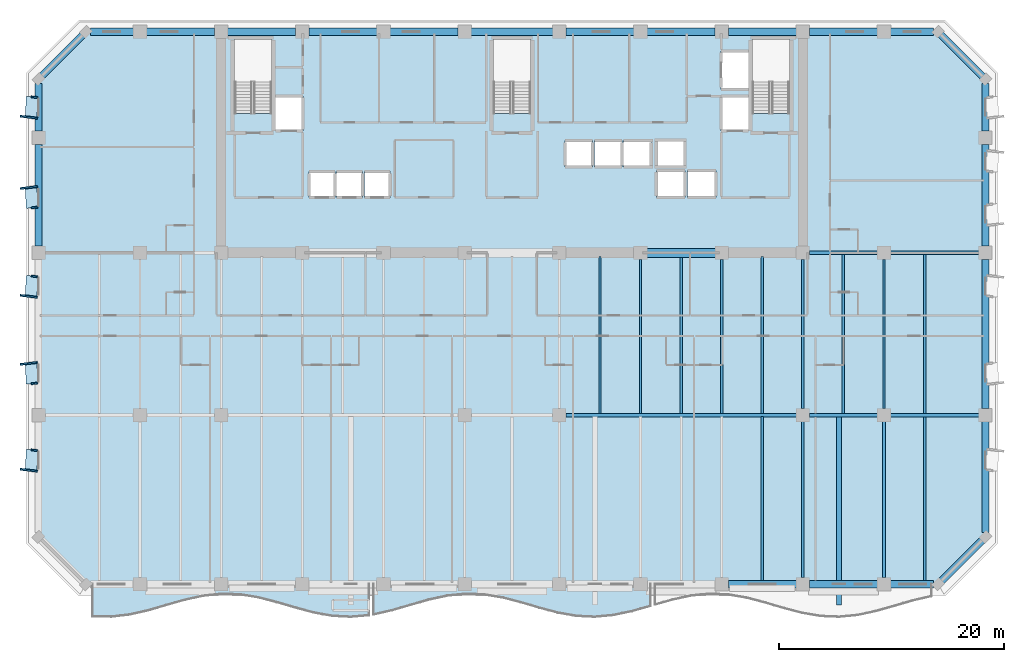
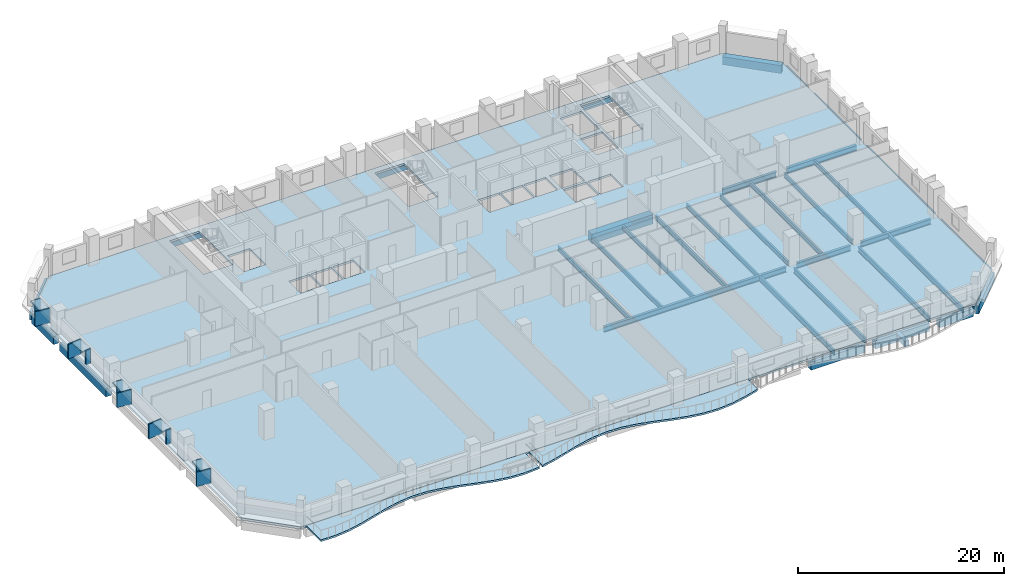
# One storey, part 2 of 15: 43 beams, 15 plates, 3 slabs.
"""IFC4 building model written with IfcOpenShell, lengths in metres."""

from ifc_helpers import new_model, si_unit, direction, frame, origin, origin_2d, place, context, subcontext, project, spatial, polyline, rectangle, i_section, outline, extrude, material, layer, layer_set, material_profile, profile_set, type_object, element, save


model = new_model("IFC4")

# Units and contexts
model_context = context("Model", 3, precision=1e-05, world=origin(), true_north=direction((0.0, 1.0)))
body_context = subcontext(model_context, "Body", "Model", "MODEL_VIEW")
ifc_project = project(units=[si_unit("LENGTHUNIT", "METRE"), si_unit("AREAUNIT", "SQUARE_METRE"), si_unit("VOLUMEUNIT", "CUBIC_METRE"), si_unit("PLANEANGLEUNIT", "RADIAN"), si_unit("MASSUNIT", "GRAM", prefix="KILO")], contexts=[model_context])

# Site, building, storey
site_placement = place(None, origin())
site = spatial("IfcSite", under=ifc_project, at=site_placement, CompositionType="ELEMENT")
building_placement = place(site_placement, origin())
building = spatial("IfcBuilding", under=site, at=building_placement, Name="Kaelvorn Grand Hotel", CompositionType="ELEMENT")
storey_placement = place(building_placement, frame((0.0, 0.0, 104.300048828125)))
storey = spatial("IfcBuildingStorey", under=building, at=storey_placement, Name="L24", CompositionType="ELEMENT", Elevation=104.300048828125)

# Beams
ifc_material_1 = material(Name="Steel S355", Category="steel")
ifc_material_profile_1 = material_profile(ifc_material_1, i_section(OverallWidth=0.300048828125, OverallDepth=0.64990234375, WebThickness=0.01611328125, FlangeThickness=0.031005859375, FilletRadius=0.027099609375, at=origin_2d()), Name="HEB 650")
ifc_profile_set_1 = profile_set([ifc_material_profile_1], Name="Steel S355")
beam_type_1 = type_object("IfcBeamType", Name="BM-G-HEB650-S355", PredefinedType="BEAM", material=ifc_profile_set_1)
beam_1_placement = place(storey_placement, frame((46.784912109375, 15.0, -0.56494140625), z_axis=(1.0, 0.0, 0.0), x_axis=(0.0, 1.0, 0.0)))
element("IfcBeam", 1, at=beam_1_placement, inside=storey, type_object=beam_type_1, Name="L24 Primary Spine Steel Girder G-15 05", PredefinedType="BEAM", context=body_context, shape_type="SweptSolid", body=[
    extrude(i_section(OverallWidth=0.300048828125, OverallDepth=0.64990234375, WebThickness=0.01611328125, FlangeThickness=0.031005859375, FilletRadius=0.027099609375, at=origin_2d()), origin(), (0.0, 0.0, 1.0), 20.43017578125),
])
beam_2_placement = place(storey_placement, frame((68.385009765625, 15.0, -0.56494140625), z_axis=(1.0, 0.0, 0.0), x_axis=(0.0, 1.0, 0.0)))
element("IfcBeam", 2, at=beam_2_placement, inside=storey, type_object=beam_type_1, Name="L24 Primary Spine Steel Girder G-15 06", PredefinedType="BEAM", context=body_context, shape_type="SweptSolid", body=[
    extrude(i_section(OverallWidth=0.300048828125, OverallDepth=0.64990234375, WebThickness=0.01611328125, FlangeThickness=0.031005859375, FilletRadius=0.027099609375, at=origin_2d()), origin(), (0.0, 0.0, 1.0), 6.030029296875),
])
beam_3_placement = place(storey_placement, frame((75.5849609375, 15.0, -0.56494140625), z_axis=(1.0, 0.0, 0.0), x_axis=(0.0, 1.0, 0.0)))
element("IfcBeam", 3, at=beam_3_placement, inside=storey, type_object=beam_type_1, Name="L24 Primary Spine Steel Girder G-15 07", PredefinedType="BEAM", context=body_context, shape_type="SweptSolid", body=[
    extrude(i_section(OverallWidth=0.300048828125, OverallDepth=0.64990234375, WebThickness=0.01611328125, FlangeThickness=0.031005859375, FilletRadius=0.027099609375, at=origin_2d()), origin(), (0.0, 0.0, 1.0), 7.830078125),
])
beam_4_placement = place(storey_placement, frame((68.385009765625, 29.39990234375, -0.56494140625), z_axis=(1.0, 0.0, 0.0), x_axis=(0.0, 1.0, 0.0)))
element("IfcBeam", 4, at=beam_4_placement, inside=storey, type_object=beam_type_1, Name="L24 East Core Wing Steel Girder G-29E 01", PredefinedType="BEAM", context=body_context, shape_type="SweptSolid", body=[
    extrude(i_section(OverallWidth=0.300048828125, OverallDepth=0.64990234375, WebThickness=0.01611328125, FlangeThickness=0.031005859375, FilletRadius=0.027099609375, at=origin_2d()), origin(), (0.0, 0.0, 1.0), 6.030029296875),
])
beam_5_placement = place(storey_placement, frame((75.5849609375, 29.39990234375, -0.56494140625), z_axis=(1.0, 0.0, 0.0), x_axis=(0.0, 1.0, 0.0)))
element("IfcBeam", 5, at=beam_5_placement, inside=storey, type_object=beam_type_1, Name="L24 East Core Wing Steel Girder G-29E 02", PredefinedType="BEAM", context=body_context, shape_type="SweptSolid", body=[
    extrude(i_section(OverallWidth=0.300048828125, OverallDepth=0.64990234375, WebThickness=0.01611328125, FlangeThickness=0.031005859375, FilletRadius=0.027099609375, at=origin_2d()), origin(), (0.0, 0.0, 1.0), 7.830078125),
])
ifc_material_profile_2 = material_profile(ifc_material_1, i_section(OverallWidth=0.209228515625, OverallDepth=0.533203125, WebThickness=0.010009765625, FlangeThickness=0.015625, FilletRadius=0.0126953125, at=origin_2d()), Name="UB 533x210x92")
ifc_profile_set_2 = profile_set([ifc_material_profile_2], Name="Steel S355")
beam_type_2 = type_object("IfcBeamType", Name="BM-J-UB533-S355", PredefinedType="JOIST", material=ifc_profile_set_2)
beam_6_placement = place(storey_placement, frame((49.800048828125, 15.135009765625, -0.506591796875), z_axis=(0.0, 1.0, 0.0), x_axis=(-1.0, 0.0, 0.0)))
element("IfcBeam", 6, at=beam_6_placement, inside=storey, type_object=beam_type_2, Name="L24 Composite Floor Joist JM-14", PredefinedType="JOIST", context=body_context, shape_type="SweptSolid", body=[
    extrude(i_section(OverallWidth=0.209228515625, OverallDepth=0.533203125, WebThickness=0.010009765625, FlangeThickness=0.015625, FilletRadius=0.0126953125, at=origin_2d()), origin(), (0.0, 0.0, 1.0), 13.925048828125),
])
beam_7_placement = place(storey_placement, frame((53.39990234375, 15.135009765625, -0.506591796875), z_axis=(0.0, 1.0, 0.0), x_axis=(-1.0, 0.0, 0.0)))
element("IfcBeam", 7, at=beam_7_placement, inside=storey, type_object=beam_type_2, Name="L24 Composite Floor Joist JM-15", PredefinedType="JOIST", context=body_context, shape_type="SweptSolid", body=[
    extrude(i_section(OverallWidth=0.209228515625, OverallDepth=0.533203125, WebThickness=0.010009765625, FlangeThickness=0.015625, FilletRadius=0.0126953125, at=origin_2d()), origin(), (0.0, 0.0, 1.0), 13.679931640625),
])
beam_8_placement = place(storey_placement, frame((57.0, 15.135009765625, -0.506591796875), z_axis=(0.0, 1.0, 0.0), x_axis=(-1.0, 0.0, 0.0)))
element("IfcBeam", 8, at=beam_8_placement, inside=storey, type_object=beam_type_2, Name="L24 Composite Floor Joist JM-16", PredefinedType="JOIST", context=body_context, shape_type="SweptSolid", body=[
    extrude(i_section(OverallWidth=0.209228515625, OverallDepth=0.533203125, WebThickness=0.010009765625, FlangeThickness=0.015625, FilletRadius=0.0126953125, at=origin_2d()), origin(), (0.0, 0.0, 1.0), 13.925048828125),
])
beam_9_placement = place(storey_placement, frame((60.60009765625, 15.135009765625, -0.506591796875), z_axis=(0.0, 1.0, 0.0), x_axis=(-1.0, 0.0, 0.0)))
element("IfcBeam", 9, at=beam_9_placement, inside=storey, type_object=beam_type_2, Name="L24 Composite Floor Joist JM-17", PredefinedType="JOIST", context=body_context, shape_type="SweptSolid", body=[
    extrude(i_section(OverallWidth=0.209228515625, OverallDepth=0.533203125, WebThickness=0.010009765625, FlangeThickness=0.015625, FilletRadius=0.0126953125, at=origin_2d()), origin(), (0.0, 0.0, 1.0), 13.679931640625),
])
beam_10_placement = place(storey_placement, frame((64.199951171875, 15.135009765625, -0.506591796875), z_axis=(0.0, 1.0, 0.0), x_axis=(-1.0, 0.0, 0.0)))
element("IfcBeam", 10, at=beam_10_placement, inside=storey, type_object=beam_type_2, Name="L24 Composite Floor Joist JM-18", PredefinedType="JOIST", context=body_context, shape_type="SweptSolid", body=[
    extrude(i_section(OverallWidth=0.209228515625, OverallDepth=0.533203125, WebThickness=0.010009765625, FlangeThickness=0.015625, FilletRadius=0.0126953125, at=origin_2d()), origin(), (0.0, 0.0, 1.0), 13.925048828125),
])
beam_11_placement = place(storey_placement, frame((67.800048828125, 15.5849609375, -0.506591796875), z_axis=(0.0, 1.0, 0.0), x_axis=(-1.0, 0.0, 0.0)))
element("IfcBeam", 11, at=beam_11_placement, inside=storey, type_object=beam_type_2, Name="L24 Composite Floor Joist JM-19", PredefinedType="JOIST", context=body_context, shape_type="SweptSolid", body=[
    extrude(i_section(OverallWidth=0.209228515625, OverallDepth=0.533203125, WebThickness=0.010009765625, FlangeThickness=0.015625, FilletRadius=0.0126953125, at=origin_2d()), origin(), (0.0, 0.0, 1.0), 13.22998046875),
])
beam_12_placement = place(storey_placement, frame((71.39990234375, 15.135009765625, -0.506591796875), z_axis=(0.0, 1.0, 0.0), x_axis=(-1.0, 0.0, 0.0)))
element("IfcBeam", 12, at=beam_12_placement, inside=storey, type_object=beam_type_2, Name="L24 Composite Floor Joist JM-20", PredefinedType="JOIST", context=body_context, shape_type="SweptSolid", body=[
    extrude(i_section(OverallWidth=0.209228515625, OverallDepth=0.533203125, WebThickness=0.010009765625, FlangeThickness=0.015625, FilletRadius=0.0126953125, at=origin_2d()), origin(), (0.0, 0.0, 1.0), 14.1298828125),
])
beam_13_placement = place(storey_placement, frame((75.0, 15.5849609375, -0.506591796875), z_axis=(0.0, 1.0, 0.0), x_axis=(-1.0, 0.0, 0.0)))
element("IfcBeam", 13, at=beam_13_placement, inside=storey, type_object=beam_type_2, Name="L24 Composite Floor Joist JM-21", PredefinedType="JOIST", context=body_context, shape_type="SweptSolid", body=[
    extrude(i_section(OverallWidth=0.209228515625, OverallDepth=0.533203125, WebThickness=0.010009765625, FlangeThickness=0.015625, FilletRadius=0.0126953125, at=origin_2d()), origin(), (0.0, 0.0, 1.0), 13.22998046875),
])
beam_14_placement = place(storey_placement, frame((78.60009765625, 15.135009765625, -0.506591796875), z_axis=(0.0, 1.0, 0.0), x_axis=(-1.0, 0.0, 0.0)))
element("IfcBeam", 14, at=beam_14_placement, inside=storey, type_object=beam_type_2, Name="L24 Composite Floor Joist JM-22", PredefinedType="JOIST", context=body_context, shape_type="SweptSolid", body=[
    extrude(i_section(OverallWidth=0.209228515625, OverallDepth=0.533203125, WebThickness=0.010009765625, FlangeThickness=0.015625, FilletRadius=0.0126953125, at=origin_2d()), origin(), (0.0, 0.0, 1.0), 14.1298828125),
])
ifc_material_profile_3 = material_profile(ifc_material_1, i_section(OverallWidth=0.22900390625, OverallDepth=0.6123046875, WebThickness=0.011962890625, FlangeThickness=0.01953125, FilletRadius=0.0126953125, at=origin_2d()), Name="UB 610x229x125")
ifc_profile_set_3 = profile_set([ifc_material_profile_3], Name="Steel S355")
beam_type_3 = type_object("IfcBeamType", Name="BM-J-UB610-S355", PredefinedType="JOIST", material=ifc_profile_set_3)
beam_15_placement = place(storey_placement, frame((64.199951171875, 0.31005859375, -0.546142578125), z_axis=(0.0, 1.0, 0.0), x_axis=(-1.0, 0.0, 0.0)))
element("IfcBeam", 15, at=beam_15_placement, inside=storey, type_object=beam_type_3, Name="L24 Composite Floor Joist JS-18", PredefinedType="JOIST", context=body_context, shape_type="SweptSolid", body=[
    extrude(i_section(OverallWidth=0.22900390625, OverallDepth=0.6123046875, WebThickness=0.011962890625, FlangeThickness=0.01953125, FilletRadius=0.0126953125, at=origin_2d()), origin(), (0.0, 0.0, 1.0), 14.554931640625),
])
for number, where, z_axis, x_axis, name in (
    (16, (67.800048828125, 0.5849609375, -0.546142578125), (0.0, 1.0, 0.0), (-1.0, 0.0, 0.0), "L24 Composite Floor Joist JS-19"),
    (17, (75.0, 0.5849609375, -0.546142578125), (0.0, 1.0, 0.0), (-1.0, 0.0, 0.0), "L24 Composite Floor Joist JS-21"),
):
    element("IfcBeam", number, at=place(storey_placement, frame(where, z_axis=z_axis, x_axis=x_axis)), inside=storey, type_object=beam_type_3, Name=name, PredefinedType="JOIST", context=body_context, shape_type="SweptSolid", body=[
        extrude(i_section(OverallWidth=0.22900390625, OverallDepth=0.6123046875, WebThickness=0.011962890625, FlangeThickness=0.01953125, FilletRadius=0.0126953125, at=origin_2d()), origin(), (0.0, 0.0, 1.0), 13.830078125),
    ])
beam_16_placement = place(storey_placement, frame((78.60009765625, 0.31005859375, -0.546142578125), z_axis=(0.0, 1.0, 0.0), x_axis=(-1.0, 0.0, 0.0)))
element("IfcBeam", 18, at=beam_16_placement, inside=storey, type_object=beam_type_3, Name="L24 Composite Floor Joist JS-22", PredefinedType="JOIST", context=body_context, shape_type="SweptSolid", body=[
    extrude(i_section(OverallWidth=0.22900390625, OverallDepth=0.6123046875, WebThickness=0.011962890625, FlangeThickness=0.01953125, FilletRadius=0.0126953125, at=origin_2d()), origin(), (0.0, 0.0, 1.0), 14.554931640625),
])
ifc_material_2 = material(Name="Concrete C60/75", Category="concrete")
ifc_material_profile_4 = material_profile(ifc_material_2, rectangle(XDim=0.800048828125, YDim=1.10009765625, at=origin_2d()), Name="RC LINTEL 800x1100")
ifc_profile_set_4 = profile_set([ifc_material_profile_4], Name="Concrete C60/75")
beam_type_4 = type_object("IfcBeamType", Name="BM-LIN-800x1100-C60", PredefinedType="LINTEL", material=ifc_profile_set_4)
beam_17_placement = place(storey_placement, frame((53.580078125, 29.39990234375, -0.7900390625), z_axis=(1.0, 0.0, 0.0), x_axis=(0.0, 1.0, 0.0)))
element("IfcBeam", 19, at=beam_17_placement, inside=storey, type_object=beam_type_4, Name="L24 Rear-Core Coupling Lintel Beam CB1-03", PredefinedType="LINTEL", context=body_context, shape_type="SweptSolid", body=[
    extrude(rectangle(XDim=0.800048828125, YDim=1.10009765625, at=origin_2d()), origin(), (0.0, 0.0, 1.0), 6.83984375),
])
ifc_material_3 = material(Name="Concrete C40/50", Category="concrete")
ifc_material_profile_5 = material_profile(ifc_material_3, rectangle(XDim=0.449951171875, YDim=0.64990234375, at=origin_2d()), Name="RC RIB 450x650")
ifc_profile_set_5 = profile_set([ifc_material_profile_5], Name="Concrete C40/50")
beam_type_5 = type_object("IfcBeamType", Name="BM-RIB-450x650-C40", PredefinedType="SPANDREL", material=ifc_profile_set_5)
beam_18_placement = place(storey_placement, frame((71.022216796875, -1.85009765625, -0.545166015625), z_axis=(0.0, 1.0, 0.0), x_axis=(-1.0, 0.0, 0.0)))
element("IfcBeam", 20, at=beam_18_placement, inside=storey, type_object=beam_type_5, Name="L24 Cantilevered Balcony Back-Span Rib RB1-3", PredefinedType="SPANDREL", context=body_context, shape_type="SweptSolid", body=[
    extrude(rectangle(XDim=0.449951171875, YDim=0.64990234375, at=origin_2d()), origin(), (0.0, 0.0, 1.0), 16.715087890625),
])
ifc_material_profile_6 = material_profile(ifc_material_2, rectangle(XDim=0.64990234375, YDim=0.949951171875, at=origin_2d()), Name="RC SPANDREL 650x950")
ifc_profile_set_6 = profile_set([ifc_material_profile_6], Name="Concrete C60/75")
beam_type_6 = type_object("IfcBeamType", Name="BM-SP-650x950-C60", PredefinedType="SPANDREL", material=ifc_profile_set_6)
for number, where, z_axis, x_axis, name in (
    (21, (61.18505859375, 0.0, -0.715087890625), (1.0, 0.0, 0.0), (0.0, 1.0, 0.0), "L24 South Perimeter Spandrel 09"),
    (22, (68.385009765625, 0.0, -0.715087890625), (1.0, 0.0, 0.0), (0.0, 1.0, 0.0), "L24 South Perimeter Spandrel 10"),
):
    element("IfcBeam", number, at=place(storey_placement, frame(where, z_axis=z_axis, x_axis=x_axis)), inside=storey, type_object=beam_type_6, Name=name, PredefinedType="SPANDREL", context=body_context, shape_type="SweptSolid", body=[
        extrude(rectangle(XDim=0.64990234375, YDim=0.949951171875, at=origin_2d()), origin(), (0.0, 0.0, 1.0), 6.030029296875),
    ])
for number, where, z_axis, x_axis, name in (
    (23, (75.5849609375, 0.0, -0.715087890625), (1.0, 0.0, 0.0), (0.0, 1.0, 0.0), "L24 South Perimeter Spandrel 11"),
    (24, (4.60498046875, 49.0, -0.715087890625), (1.0, 0.0, 0.0), (0.0, 1.0, 0.0), "L24 North Perimeter Spandrel 01"),
):
    element("IfcBeam", number, at=place(storey_placement, frame(where, z_axis=z_axis, x_axis=x_axis)), inside=storey, type_object=beam_type_6, Name=name, PredefinedType="SPANDREL", context=body_context, shape_type="SweptSolid", body=[
        extrude(rectangle(XDim=0.64990234375, YDim=0.949951171875, at=origin_2d()), origin(), (0.0, 0.0, 1.0), 3.81005859375),
    ])
for number, where, z_axis, x_axis, name in (
    (25, (9.5849609375, 49.0, -0.715087890625), (1.0, 0.0, 0.0), (0.0, 1.0, 0.0), "L24 North Perimeter Spandrel 02"),
    (26, (16.784912109375, 49.0, -0.715087890625), (1.0, 0.0, 0.0), (0.0, 1.0, 0.0), "L24 North Perimeter Spandrel 03"),
):
    element("IfcBeam", number, at=place(storey_placement, frame(where, z_axis=z_axis, x_axis=x_axis)), inside=storey, type_object=beam_type_6, Name=name, PredefinedType="SPANDREL", context=body_context, shape_type="SweptSolid", body=[
        extrude(rectangle(XDim=0.64990234375, YDim=0.949951171875, at=origin_2d()), origin(), (0.0, 0.0, 1.0), 6.030029296875),
    ])
beam_19_placement = place(storey_placement, frame((23.985107421875, 49.0, -0.715087890625), z_axis=(1.0, 0.0, 0.0), x_axis=(0.0, 1.0, 0.0)))
element("IfcBeam", 27, at=beam_19_placement, inside=storey, type_object=beam_type_6, Name="L24 North Perimeter Spandrel 04", PredefinedType="SPANDREL", context=body_context, shape_type="SweptSolid", body=[
    extrude(rectangle(XDim=0.64990234375, YDim=0.949951171875, at=origin_2d()), origin(), (0.0, 0.0, 1.0), 6.02978515625),
])
beam_20_placement = place(storey_placement, frame((31.18505859375, 49.0, -0.715087890625), z_axis=(1.0, 0.0, 0.0), x_axis=(0.0, 1.0, 0.0)))
element("IfcBeam", 28, at=beam_20_placement, inside=storey, type_object=beam_type_6, Name="L24 North Perimeter Spandrel 05", PredefinedType="SPANDREL", context=body_context, shape_type="SweptSolid", body=[
    extrude(rectangle(XDim=0.64990234375, YDim=0.949951171875, at=origin_2d()), origin(), (0.0, 0.0, 1.0), 6.030029296875),
])
beam_21_placement = place(storey_placement, frame((38.385009765625, 49.0, -0.715087890625), z_axis=(1.0, 0.0, 0.0), x_axis=(0.0, 1.0, 0.0)))
element("IfcBeam", 29, at=beam_21_placement, inside=storey, type_object=beam_type_6, Name="L24 North Perimeter Spandrel 06", PredefinedType="SPANDREL", context=body_context, shape_type="SweptSolid", body=[
    extrude(rectangle(XDim=0.64990234375, YDim=0.949951171875, at=origin_2d()), origin(), (0.0, 0.0, 1.0), 7.22998046875),
])
beam_22_placement = place(storey_placement, frame((46.784912109375, 49.0, -0.715087890625), z_axis=(1.0, 0.0, 0.0), x_axis=(0.0, 1.0, 0.0)))
element("IfcBeam", 30, at=beam_22_placement, inside=storey, type_object=beam_type_6, Name="L24 North Perimeter Spandrel 07", PredefinedType="SPANDREL", context=body_context, shape_type="SweptSolid", body=[
    extrude(rectangle(XDim=0.64990234375, YDim=0.949951171875, at=origin_2d()), origin(), (0.0, 0.0, 1.0), 6.030029296875),
])
beam_23_placement = place(storey_placement, frame((53.985107421875, 49.0, -0.715087890625), z_axis=(1.0, 0.0, 0.0), x_axis=(0.0, 1.0, 0.0)))
element("IfcBeam", 31, at=beam_23_placement, inside=storey, type_object=beam_type_6, Name="L24 North Perimeter Spandrel 08", PredefinedType="SPANDREL", context=body_context, shape_type="SweptSolid", body=[
    extrude(rectangle(XDim=0.64990234375, YDim=0.949951171875, at=origin_2d()), origin(), (0.0, 0.0, 1.0), 6.02978515625),
])
for number, where, z_axis, x_axis, name in (
    (32, (61.18505859375, 49.0, -0.715087890625), (1.0, 0.0, 0.0), (0.0, 1.0, 0.0), "L24 North Perimeter Spandrel 09"),
    (33, (68.385009765625, 49.0, -0.715087890625), (1.0, 0.0, 0.0), (0.0, 1.0, 0.0), "L24 North Perimeter Spandrel 10"),
):
    element("IfcBeam", number, at=place(storey_placement, frame(where, z_axis=z_axis, x_axis=x_axis)), inside=storey, type_object=beam_type_6, Name=name, PredefinedType="SPANDREL", context=body_context, shape_type="SweptSolid", body=[
        extrude(rectangle(XDim=0.64990234375, YDim=0.949951171875, at=origin_2d()), origin(), (0.0, 0.0, 1.0), 6.030029296875),
    ])
beam_24_placement = place(storey_placement, frame((75.5849609375, 49.0, -0.715087890625), z_axis=(1.0, 0.0, 0.0), x_axis=(0.0, 1.0, 0.0)))
element("IfcBeam", 34, at=beam_24_placement, inside=storey, type_object=beam_type_6, Name="L24 North Perimeter Spandrel 11", PredefinedType="SPANDREL", context=body_context, shape_type="SweptSolid", body=[
    extrude(rectangle(XDim=0.64990234375, YDim=0.949951171875, at=origin_2d()), origin(), (0.0, 0.0, 1.0), 3.81005859375),
])
beam_25_placement = place(storey_placement, frame((0.0, 29.985107421875, -0.715087890625), z_axis=(0.0, 1.0, 0.0), x_axis=(-1.0, 0.0, 0.0)))
element("IfcBeam", 35, at=beam_25_placement, inside=storey, type_object=beam_type_6, Name="L24 West Perimeter Spandrel 03", PredefinedType="SPANDREL", context=body_context, shape_type="SweptSolid", body=[
    extrude(rectangle(XDim=0.64990234375, YDim=0.949951171875, at=origin_2d()), origin(), (0.0, 0.0, 1.0), 9.02978515625),
])
beam_26_placement = place(storey_placement, frame((0.0, 40.18505859375, -0.715087890625), z_axis=(0.0, 1.0, 0.0), x_axis=(-1.0, 0.0, 0.0)))
element("IfcBeam", 36, at=beam_26_placement, inside=storey, type_object=beam_type_6, Name="L24 West Perimeter Spandrel 04", PredefinedType="SPANDREL", context=body_context, shape_type="SweptSolid", body=[
    extrude(rectangle(XDim=0.64990234375, YDim=0.949951171875, at=origin_2d()), origin(), (0.0, 0.0, 1.0), 4.2099609375),
])
beam_27_placement = place(storey_placement, frame((84.0, 4.60498046875, -0.715087890625), z_axis=(0.0, 1.0, 0.0), x_axis=(-1.0, 0.0, 0.0)))
element("IfcBeam", 37, at=beam_27_placement, inside=storey, type_object=beam_type_6, Name="L24 East Perimeter Spandrel 01", PredefinedType="SPANDREL", context=body_context, shape_type="SweptSolid", body=[
    extrude(rectangle(XDim=0.64990234375, YDim=0.949951171875, at=origin_2d()), origin(), (0.0, 0.0, 1.0), 9.81005859375),
])
beam_28_placement = place(storey_placement, frame((84.0, 15.5849609375, -0.715087890625), z_axis=(0.0, 1.0, 0.0), x_axis=(-1.0, 0.0, 0.0)))
element("IfcBeam", 38, at=beam_28_placement, inside=storey, type_object=beam_type_6, Name="L24 East Perimeter Spandrel 02", PredefinedType="SPANDREL", context=body_context, shape_type="SweptSolid", body=[
    extrude(rectangle(XDim=0.64990234375, YDim=0.949951171875, at=origin_2d()), origin(), (0.0, 0.0, 1.0), 13.22998046875),
])
beam_29_placement = place(storey_placement, frame((84.0, 29.985107421875, -0.715087890625), z_axis=(0.0, 1.0, 0.0), x_axis=(-1.0, 0.0, 0.0)))
element("IfcBeam", 39, at=beam_29_placement, inside=storey, type_object=beam_type_6, Name="L24 East Perimeter Spandrel 03", PredefinedType="SPANDREL", context=body_context, shape_type="SweptSolid", body=[
    extrude(rectangle(XDim=0.64990234375, YDim=0.949951171875, at=origin_2d()), origin(), (0.0, 0.0, 1.0), 9.02978515625),
])
beam_30_placement = place(storey_placement, frame((84.0, 40.18505859375, -0.715087890625), z_axis=(0.0, 1.0, 0.0), x_axis=(-1.0, 0.0, 0.0)))
element("IfcBeam", 40, at=beam_30_placement, inside=storey, type_object=beam_type_6, Name="L24 East Perimeter Spandrel 04", PredefinedType="SPANDREL", context=body_context, shape_type="SweptSolid", body=[
    extrude(rectangle(XDim=0.64990234375, YDim=0.949951171875, at=origin_2d()), origin(), (0.0, 0.0, 1.0), 4.2099609375),
])
for number, where, z_axis, x_axis, name in (
    (41, (79.800048828125, 0.0, -0.715087890625), (0.707106781187, 0.707106781187, 0.0), (-0.707106781187, 0.707106781187, 0.0), "L24 Chamfer Spandrel Beam 1"),
    (42, (84.0, 44.800048828125, -0.715087890625), (-0.707106781187, 0.707106781187, 0.0), (-0.707106781187, -0.707106781187, 0.0), "L24 Chamfer Spandrel Beam 2"),
    (43, (4.199951171875, 49.0, -0.715087890625), (-0.707106781187, -0.707106781187, 0.0), (0.707106781187, -0.707106781187, 0.0), "L24 Chamfer Spandrel Beam 3"),
):
    element("IfcBeam", number, at=place(storey_placement, frame(where, z_axis=z_axis, x_axis=x_axis)), inside=storey, type_object=beam_type_6, Name=name, PredefinedType="SPANDREL", context=body_context, shape_type="SweptSolid", body=[
        extrude(rectangle(XDim=0.64990234375, YDim=0.949951171875, at=origin_2d()), origin(), (0.0, 0.0, 1.0), 5.939697265625),
    ])

# Plates
ifc_material_4 = material(Name="Precast concrete C45/55", Category="concrete")
ifc_layer_1 = layer(ifc_material_4, 0.159912109375)
ifc_layer_set_1 = layer_set([ifc_layer_1], Name="Precast concrete C45/55")
plate_type_1 = type_object("IfcPlateType", Name="PL-FRAME-DEEP-1550", PredefinedType="USERDEFINED", material=ifc_layer_set_1)
for number, where, z_axis, x_axis, name in (
    (44, (-0.864990234375, 10.110107421875, 0.68994140625), (0.0, 0.0, 1.0), (0.121869343405, 0.992546151641, 0.0), "L24 Tilted Precast Window Frame Fin L-W01"),
    (45, (-0.864990234375, 19.590087890625, 0.68994140625), (0.0, 0.0, 1.0), (-0.121869343405, 0.992546151641, 0.0), "L24 Tilted Precast Window Frame Fin R-W02"),
    (46, (-0.864990234375, 25.534912109375, 0.68994140625), (0.0, 0.0, 1.0), (0.121869343405, 0.992546151641, 0.0), "L24 Tilted Precast Window Frame Fin L-W03"),
    (47, (-0.864990234375, 35.18994140625, 0.68994140625), (0.0, 0.0, 1.0), (-0.121869343405, 0.992546151641, 0.0), "L24 Tilted Precast Window Frame Fin R-W04"),
    (48, (-0.864990234375, 41.425048828125, 0.68994140625), (0.0, 0.0, 1.0), (0.121869343405, 0.992546151641, 0.0), "L24 Tilted Precast Window Frame Fin L-W05"),
):
    element("IfcPlate", number, at=place(storey_placement, frame(where, z_axis=z_axis, x_axis=x_axis)), inside=storey, type_object=plate_type_1, Name=name, ObjectType="FLANGE_PLATE", PredefinedType="USERDEFINED", context=body_context, shape_type="SweptSolid", body=[
        extrude(rectangle(XDim=0.159912109375, YDim=1.550048828125, at=origin_2d()), origin(), (0.0, 0.0, 1.0), 1.719970703125),
    ])
ifc_layer_2 = layer(ifc_material_4, 0.159912109375)
ifc_layer_set_2 = layer_set([ifc_layer_2], Name="Precast concrete C45/55")
plate_type_2 = type_object("IfcPlateType", Name="PL-FRAME-HEAD-1050", PredefinedType="USERDEFINED", material=ifc_layer_set_2)
for number, where, z_axis, x_axis, name in (
    (49, (-0.614990234375, 11.0, 2.25), (0.0, 0.0, 1.0), (0.054950179912, 0.998489097451, 0.0), "L24 Precast Window Frame Head Hood H-W01"),
    (50, (-0.614990234375, 18.699951171875, 2.25), (0.0, 0.0, 1.0), (-0.054950179912, 0.998489097451, 0.0), "L24 Precast Window Frame Head Hood H-W02"),
    (51, (-0.614990234375, 26.425048828125, 2.25), (0.0, 0.0, 1.0), (0.054950179912, 0.998489097451, 0.0), "L24 Precast Window Frame Head Hood H-W03"),
    (52, (-0.614990234375, 34.300048828125, 2.25), (0.0, 0.0, 1.0), (-0.054950179912, 0.998489097451, 0.0), "L24 Precast Window Frame Head Hood H-W04"),
    (53, (-0.614990234375, 42.31494140625, 2.25), (0.0, 0.0, 1.0), (0.054950179912, 0.998489097451, 0.0), "L24 Precast Window Frame Head Hood H-W05"),
):
    element("IfcPlate", number, at=place(storey_placement, frame(where, z_axis=z_axis, x_axis=x_axis)), inside=storey, type_object=plate_type_2, Name=name, ObjectType="FLANGE_PLATE", PredefinedType="USERDEFINED", context=body_context, shape_type="SweptSolid", body=[
        extrude(rectangle(XDim=1.860107421875, YDim=1.050048828125, at=origin_2d()), origin(), (0.0, 0.0, 1.0), 0.159912109375),
    ])
ifc_layer_3 = layer(ifc_material_4, 0.159912109375)
ifc_layer_set_3 = layer_set([ifc_layer_3], Name="Precast concrete C45/55")
plate_type_3 = type_object("IfcPlateType", Name="PL-FRAME-SHAL-550", PredefinedType="USERDEFINED", material=ifc_layer_set_3)
for number, where, z_axis, x_axis, name in (
    (54, (-0.364990234375, 11.889892578125, 0.68994140625), (0.0, 0.0, 1.0), (0.121869343405, 0.992546151641, 0.0), "L24 Tilted Precast Window Frame Fin R-W01"),
    (55, (-0.364990234375, 17.81005859375, 0.68994140625), (0.0, 0.0, 1.0), (-0.121869343405, 0.992546151641, 0.0), "L24 Tilted Precast Window Frame Fin L-W02"),
    (56, (-0.364990234375, 27.31494140625, 0.68994140625), (0.0, 0.0, 1.0), (0.121869343405, 0.992546151641, 0.0), "L24 Tilted Precast Window Frame Fin R-W03"),
    (57, (-0.364990234375, 33.409912109375, 0.68994140625), (0.0, 0.0, 1.0), (-0.121869343405, 0.992546151641, 0.0), "L24 Tilted Precast Window Frame Fin L-W04"),
    (58, (-0.364990234375, 43.205078125, 0.68994140625), (0.0, 0.0, 1.0), (0.121869343405, 0.992546151641, 0.0), "L24 Tilted Precast Window Frame Fin R-W05"),
):
    element("IfcPlate", number, at=place(storey_placement, frame(where, z_axis=z_axis, x_axis=x_axis)), inside=storey, type_object=plate_type_3, Name=name, ObjectType="FLANGE_PLATE", PredefinedType="USERDEFINED", context=body_context, shape_type="SweptSolid", body=[
        extrude(rectangle(XDim=0.159912109375, YDim=0.550048828125, at=origin_2d()), origin(), (0.0, 0.0, 1.0), 1.719970703125),
    ])

# Slabs
ifc_layer_4 = layer(ifc_material_3, 0.219970703125)
ifc_layer_set_4 = layer_set([ifc_layer_4], Name="Concrete C40/50")
slab_type_1 = type_object("IfcSlabType", Name="SLB-BALC-220-C40", PredefinedType="FLOOR", material=ifc_layer_set_4)
slab_1_placement = place(storey_placement, frame((0.0, 0.0, -0.219970703125)))
element("IfcSlab", 59, at=slab_1_placement, inside=storey, type_object=slab_type_1, Name="L24 Scalloped Wave Balcony Slab 1", PredefinedType="FLOOR", context=body_context, shape_type="SweptSolid", body=[
    extrude(outline(polyline([(4.800048828125, -2.849853515625), (6.435546875, -2.88671875), (8.071044921875, -2.69873046875), (9.706787109375, -2.327880859375), (11.34228515625, -1.8564453125), (12.977783203125, -1.38916015625), (14.61328125, -1.02978515625), (16.248779296875, -0.858154296875), (17.884521484375, -0.912353515625), (19.52001953125, -1.180419921875), (21.155517578125, -1.602783203125), (22.791015625, -2.08544921875), (24.4267578125, -2.521484375), (26.062255859375, -2.81396484375), (27.69775390625, -2.89794921875), (29.333251953125, -2.754638671875), (29.333251953125, 0.0), (4.800048828125, 0.0), (4.800048828125, -2.849853515625)])), origin(), (0.0, 0.0, 1.0), 0.219970703125),
])
slab_2_placement = place(storey_placement, frame((0.0, 0.0, -0.219970703125)))
element("IfcSlab", 60, at=slab_2_placement, inside=storey, type_object=slab_type_1, Name="L24 Scalloped Wave Balcony Slab 2", PredefinedType="FLOOR", context=body_context, shape_type="SweptSolid", body=[
    extrude(outline(polyline([(29.7333984375, -2.6875), (31.368896484375, -2.311279296875), (33.00439453125, -1.837890625), (34.639892578125, -1.372802734375), (36.275634765625, -1.019287109375), (37.9111328125, -0.85595703125), (39.546630859375, -0.918701171875), (41.18212890625, -1.194091796875), (42.81787109375, -1.62060546875), (44.453369140625, -2.103759765625), (46.0888671875, -2.535888671875), (47.724365234375, -2.8212890625), (49.360107421875, -2.896484375), (50.99560546875, -2.744873046875), (52.631103515625, -2.400146484375), (54.2666015625, -1.9384765625), (54.2666015625, 0.0), (29.7333984375, 0.0), (29.7333984375, -2.6875)])), origin(), (0.0, 0.0, 1.0), 0.219970703125),
])
ifc_layer_5 = layer(ifc_material_3, 0.239990234375)
ifc_layer_set_5 = layer_set([ifc_layer_5], Name="Concrete C40/50")
slab_type_2 = type_object("IfcSlabType", Name="SLB-FLR-240-C40", PredefinedType="FLOOR", material=ifc_layer_set_5)
slab_3_placement = place(storey_placement, frame((0.0, 0.0, -0.239990234375)))
element("IfcSlab", 61, at=slab_3_placement, inside=storey, type_object=slab_type_2, Name="L24 Indoor Suspended Floor Slab", PredefinedType="FLOOR", context=body_context, shape_type="SweptSolid", body=[
    extrude(outline(polyline([(4.199951171875, 0.0), (79.800048828125, 0.0), (84.0, 4.199951171875), (84.0, 44.800048828125), (79.800048828125, 49.0), (4.199951171875, 49.0), (0.0, 44.800048828125), (0.0, 4.199951171875), (4.199951171875, 0.0)]), holes=[polyline([(17.39990234375, 41.760009765625), (17.39990234375, 48.300048828125), (20.679931640625, 48.300048828125), (20.679931640625, 41.760009765625), (17.39990234375, 41.760009765625)]), polyline([(40.360107421875, 41.760009765625), (40.360107421875, 48.300048828125), (43.639892578125, 48.300048828125), (43.639892578125, 41.760009765625), (40.360107421875, 41.760009765625)]), polyline([(63.320068359375, 41.760009765625), (63.320068359375, 48.300048828125), (66.60009765625, 48.300048828125), (66.60009765625, 41.760009765625), (63.320068359375, 41.760009765625)]), polyline([(24.0, 34.300048828125), (24.0, 36.60009765625), (26.300048828125, 36.60009765625), (26.300048828125, 34.300048828125), (24.0, 34.300048828125)]), polyline([(26.449951171875, 34.300048828125), (26.449951171875, 36.60009765625), (28.75, 36.60009765625), (28.75, 34.300048828125), (26.449951171875, 34.300048828125)]), polyline([(28.89990234375, 34.300048828125), (28.89990234375, 36.60009765625), (31.199951171875, 36.60009765625), (31.199951171875, 34.300048828125), (28.89990234375, 34.300048828125)]), polyline([(46.699951171875, 37.0), (46.699951171875, 39.35009765625), (49.14990234375, 39.35009765625), (49.14990234375, 37.0), (46.699951171875, 37.0)]), polyline([(49.300048828125, 37.0), (49.300048828125, 39.35009765625), (51.75, 39.35009765625), (51.75, 37.0), (49.300048828125, 37.0)]), polyline([(51.89990234375, 37.0), (51.89990234375, 39.35009765625), (54.35009765625, 39.35009765625), (54.35009765625, 37.0), (51.89990234375, 37.0)]), polyline([(54.800048828125, 34.300048828125), (54.800048828125, 36.699951171875), (57.35009765625, 36.699951171875), (57.35009765625, 34.300048828125), (54.800048828125, 34.300048828125)]), polyline([(57.550048828125, 34.300048828125), (57.550048828125, 36.699951171875), (60.10009765625, 36.699951171875), (60.10009765625, 34.300048828125), (57.550048828125, 34.300048828125)]), polyline([(54.800048828125, 37.0), (54.800048828125, 39.39990234375), (57.35009765625, 39.39990234375), (57.35009765625, 37.0), (54.800048828125, 37.0)]), polyline([(21.0, 40.199951171875), (21.0, 43.300048828125), (23.449951171875, 43.300048828125), (23.449951171875, 40.199951171875), (21.0, 40.199951171875)]), polyline([(60.550048828125, 40.199951171875), (60.550048828125, 43.300048828125), (63.0, 43.300048828125), (63.0, 40.199951171875), (60.550048828125, 40.199951171875)]), polyline([(60.550048828125, 43.89990234375), (60.550048828125, 47.300048828125), (63.0, 47.300048828125), (63.0, 43.89990234375), (60.550048828125, 43.89990234375)])]), origin(), (0.0, 0.0, 1.0), 0.239990234375),
])

save(model, "model.ifc")
